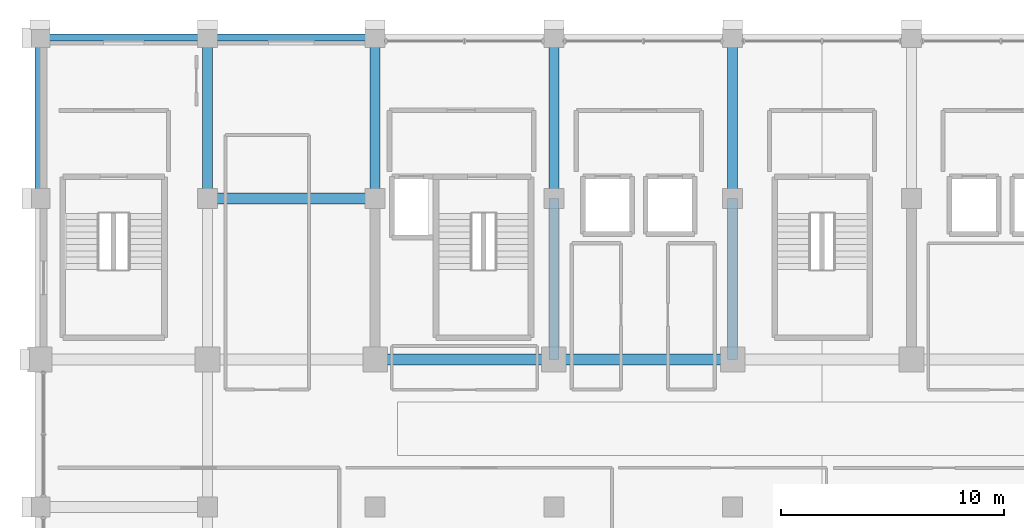
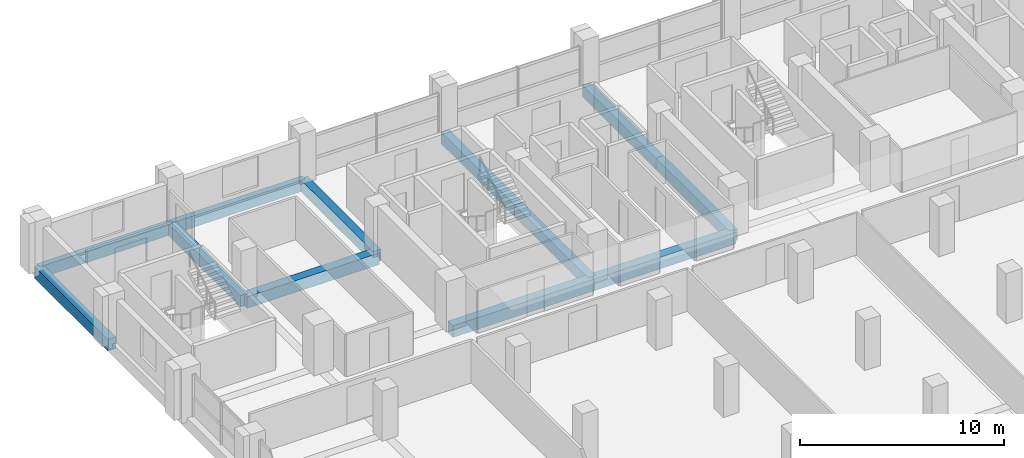
# One storey, part 9 of 21: 12 beams.
"""IFC4 building model written with IfcOpenShell, lengths in metres."""

from ifc_helpers import new_model, si_unit, direction, frame, origin, origin_2d, place, context, subcontext, project, spatial, rectangle, extrude, material, material_profile, profile_set, type_object, element, save


model = new_model("IFC4")

# Units and contexts
model_context = context("Model", 3, precision=1e-05, world=origin(), true_north=direction((0.0, 1.0)))
body_context = subcontext(model_context, "Body", "Model", "MODEL_VIEW")
ifc_project = project(units=[si_unit("LENGTHUNIT", "METRE"), si_unit("AREAUNIT", "SQUARE_METRE"), si_unit("VOLUMEUNIT", "CUBIC_METRE"), si_unit("PLANEANGLEUNIT", "RADIAN"), si_unit("MASSUNIT", "GRAM", prefix="KILO")], contexts=[model_context])

# Site, building, storey
site_placement = place(None, origin())
site = spatial("IfcSite", under=ifc_project, at=site_placement, CompositionType="ELEMENT")
building_placement = place(site_placement, origin())
building = spatial("IfcBuilding", under=site, at=building_placement, Name="Akrevak Sports Hall", CompositionType="ELEMENT")
storey_placement = place(building_placement, frame((0.0, 0.0, 34.050048828125)))
storey = spatial("IfcBuildingStorey", under=building, at=storey_placement, Name="L07", CompositionType="ELEMENT", Elevation=34.050048828125)

# Beams
ifc_material = material(Name="Concrete C40/50", Category="concrete")
ifc_material_profile_1 = material_profile(ifc_material, rectangle(XDim=0.449951171875, YDim=0.699951171875, at=origin_2d()), Name="BM 450x700", Category="concrete")
ifc_profile_set_1 = profile_set([ifc_material_profile_1], Name="Concrete C40/50")
beam_type_1 = type_object("IfcBeamType", Name="STR-BM-RC450x700", PredefinedType="BEAM", material=ifc_profile_set_1)
for number, where, z_axis, x_axis, name in (
    (1, (45.0, 62.39990234375, -0.35009765625), (0.0, 1.0, 0.0), (-1.0, 0.0, 0.0), "Girder 7/J-K (L07)"),
    (2, (52.5, 62.39990234375, -0.35009765625), (0.0, 1.0, 0.0), (-1.0, 0.0, 0.0), "Girder 8/J-K (L07)"),
    (3, (60.0, 62.39990234375, -0.35009765625), (0.0, 1.0, 0.0), (-1.0, 0.0, 0.0), "Girder 9/J-K (L07)"),
):
    element("IfcBeam", number, at=place(storey_placement, frame(where, z_axis=z_axis, x_axis=x_axis)), inside=storey, type_object=beam_type_1, Name=name, PredefinedType="BEAM", context=body_context, shape_type="SweptSolid", body=[
        extrude(rectangle(XDim=0.449951171875, YDim=0.699951171875, at=origin_2d()), origin(), (0.0, 0.0, 1.0), 7.2001953125),
    ])
beam_1_placement = place(storey_placement, frame((68.0, 55.199951171875, -0.35009765625), z_axis=(0.0, 1.0, 0.0), x_axis=(-1.0, 0.0, 0.0)))
element("IfcBeam", 4, at=beam_1_placement, inside=storey, type_object=beam_type_1, Name="Girder 10/I-J (L07)", PredefinedType="BEAM", context=body_context, shape_type="SweptSolid", body=[
    extrude(rectangle(XDim=0.449951171875, YDim=0.699951171875, at=origin_2d()), origin(), (0.0, 0.0, 1.0), 7.199951171875),
])
beam_2_placement = place(storey_placement, frame((68.0, 62.39990234375, -0.35009765625), z_axis=(0.0, 1.0, 0.0), x_axis=(-1.0, 0.0, 0.0)))
element("IfcBeam", 5, at=beam_2_placement, inside=storey, type_object=beam_type_1, Name="Girder 10/J-K (L07)", PredefinedType="BEAM", context=body_context, shape_type="SweptSolid", body=[
    extrude(rectangle(XDim=0.449951171875, YDim=0.699951171875, at=origin_2d()), origin(), (0.0, 0.0, 1.0), 7.2001953125),
])
beam_3_placement = place(storey_placement, frame((76.0, 55.199951171875, -0.35009765625), z_axis=(0.0, 1.0, 0.0), x_axis=(-1.0, 0.0, 0.0)))
element("IfcBeam", 6, at=beam_3_placement, inside=storey, type_object=beam_type_1, Name="Girder 11/I-J (L07)", PredefinedType="BEAM", context=body_context, shape_type="SweptSolid", body=[
    extrude(rectangle(XDim=0.449951171875, YDim=0.699951171875, at=origin_2d()), origin(), (0.0, 0.0, 1.0), 7.199951171875),
])
beam_4_placement = place(storey_placement, frame((76.0, 62.39990234375, -0.35009765625), z_axis=(0.0, 1.0, 0.0), x_axis=(-1.0, 0.0, 0.0)))
element("IfcBeam", 7, at=beam_4_placement, inside=storey, type_object=beam_type_1, Name="Girder 11/J-K (L07)", PredefinedType="BEAM", context=body_context, shape_type="SweptSolid", body=[
    extrude(rectangle(XDim=0.449951171875, YDim=0.699951171875, at=origin_2d()), origin(), (0.0, 0.0, 1.0), 7.2001953125),
])
ifc_material_profile_2 = material_profile(ifc_material, rectangle(XDim=0.5, YDim=0.699951171875, at=origin_2d()), Name="BM 500x700", Category="concrete")
ifc_profile_set_2 = profile_set([ifc_material_profile_2], Name="Concrete C40/50")
beam_type_2 = type_object("IfcBeamType", Name="STR-BM-RC500x700", PredefinedType="BEAM", material=ifc_profile_set_2)
for number, where, z_axis, x_axis, name in (
    (8, (60.0, 55.199951171875, -0.35009765625), (1.0, 0.0, 0.0), (0.0, 1.0, 0.0), "Girder I/9-10 (L07)"),
    (9, (68.0, 55.199951171875, -0.35009765625), (1.0, 0.0, 0.0), (0.0, 1.0, 0.0), "Girder I/10-11 (L07)"),
):
    element("IfcBeam", number, at=place(storey_placement, frame(where, z_axis=z_axis, x_axis=x_axis)), inside=storey, type_object=beam_type_2, Name=name, PredefinedType="BEAM", context=body_context, shape_type="SweptSolid", body=[
        extrude(rectangle(XDim=0.5, YDim=0.699951171875, at=origin_2d()), origin(), (0.0, 0.0, 1.0), 8.0),
    ])
beam_5_placement = place(storey_placement, frame((52.5, 62.39990234375, -0.35009765625), z_axis=(1.0, 0.0, 0.0), x_axis=(0.0, 1.0, 0.0)))
element("IfcBeam", 10, at=beam_5_placement, inside=storey, type_object=beam_type_2, Name="Girder J/8-9 (L07)", PredefinedType="BEAM", context=body_context, shape_type="SweptSolid", body=[
    extrude(rectangle(XDim=0.5, YDim=0.699951171875, at=origin_2d()), origin(), (0.0, 0.0, 1.0), 7.5),
])
ifc_material_profile_3 = material_profile(ifc_material, rectangle(XDim=0.320068359375, YDim=0.679931640625, at=origin_2d()), Name="SPD 320x680", Category="concrete")
ifc_profile_set_3 = profile_set([ifc_material_profile_3], Name="Concrete C40/50")
beam_type_3 = type_object("IfcBeamType", Name="STR-SPD-RC320x680", PredefinedType="SPANDREL", material=ifc_profile_set_3)
for number, where, z_axis, x_axis, name in (
    (11, (45.0, 69.60009765625, -0.340087890625), (1.0, 0.0, 0.0), (0.0, 1.0, 0.0), "Girder K/7-8 (L07)"),
    (12, (52.5, 69.60009765625, -0.340087890625), (1.0, 0.0, 0.0), (0.0, 1.0, 0.0), "Girder K/8-9 (L07)"),
):
    element("IfcBeam", number, at=place(storey_placement, frame(where, z_axis=z_axis, x_axis=x_axis)), inside=storey, type_object=beam_type_3, Name=name, PredefinedType="SPANDREL", context=body_context, shape_type="SweptSolid", body=[
        extrude(rectangle(XDim=0.320068359375, YDim=0.679931640625, at=origin_2d()), origin(), (0.0, 0.0, 1.0), 7.5),
    ])

save(model, "model.ifc")
